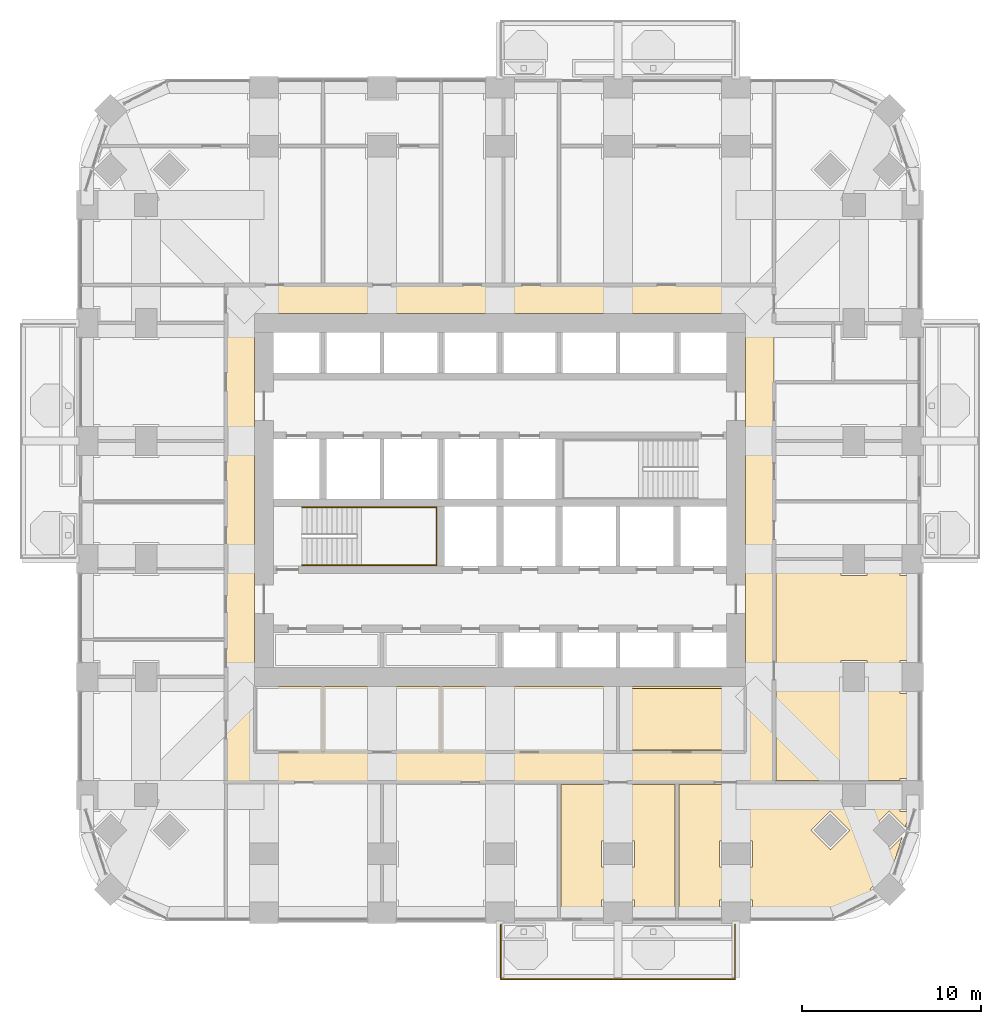
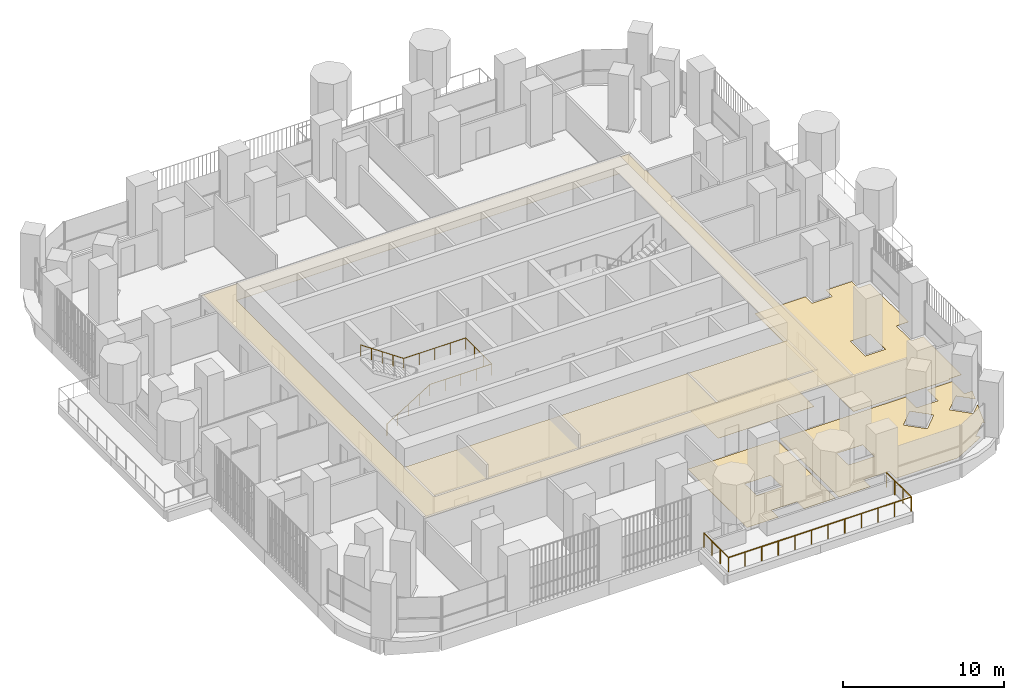
# One storey, part 19 of 22: 5 coverings, 2 railings.
"""IFC4 building model written with IfcOpenShell, lengths in metres."""

from ifc_helpers import new_model, si_unit, direction, frame, origin, place, context, subcontext, project, spatial, polyline, outline, extrude, material, layer, layer_set, type_object, element, save


model = new_model("IFC4")

# Units and contexts
model_context = context("Model", 3, precision=1e-05, world=origin(), true_north=direction((0.0, 1.0)))
body_context = subcontext(model_context, "Body", "Model", "MODEL_VIEW")
ifc_project = project(units=[si_unit("LENGTHUNIT", "METRE"), si_unit("AREAUNIT", "SQUARE_METRE"), si_unit("VOLUMEUNIT", "CUBIC_METRE"), si_unit("PLANEANGLEUNIT", "RADIAN"), si_unit("MASSUNIT", "GRAM", prefix="KILO")], contexts=[model_context])

# Site, building, storey
site_placement = place(None, origin())
site = spatial("IfcSite", under=ifc_project, at=site_placement, CompositionType="ELEMENT")
building_placement = place(site_placement, origin())
building = spatial("IfcBuilding", under=site, at=building_placement, Name="Cobogo Forest Laboratory Tower", CompositionType="ELEMENT")
storey_placement = place(building_placement, frame((0.0, 0.0, 136.800048828125)))
storey = spatial("IfcBuildingStorey", under=building, at=storey_placement, Name="L31", CompositionType="ELEMENT", Elevation=136.800048828125)

# Railing
ifc_material_1 = material(Name="Laminated glass balustrade", Category="glass")
railing_type_1 = type_object("IfcRailingType", Name="BG1 glass balustrade 1100", PredefinedType="GUARDRAIL", material=ifc_material_1)
railing_1_placement = place(storey_placement, frame((26.449951171875, -0.64990234375, 0.0)))
element("IfcRailing", 1, at=railing_1_placement, inside=storey, type_object=railing_type_1, Name="Balcony balustrade BAL-S1 L31", PredefinedType="GUARDRAIL", context=body_context, shape_type="SweptSolid", body=[
    extrude(outline(polyline([(0.022216796875, 0.00927734375), (0.00927734375, 0.022216796875), (-0.00927734375, 0.022216796875), (-0.022216796875, 0.00927734375), (-0.022216796875, -0.00927734375), (-0.00927734375, -0.022216796875), (0.00927734375, -0.022216796875), (0.022216796875, -0.00927734375), (0.022216796875, 0.00927734375)])), frame((0.0, 0.0, 1.077880859375), z_axis=(0.0, -1.0, 0.0), x_axis=(1.0, 0.0, 0.0)), (0.0, 0.0, 1.0), 3.050048828125),
    extrude(outline(polyline([(0.022216796875, 0.00927734375), (0.00927734375, 0.022216796875), (-0.00927734375, 0.022216796875), (-0.022216796875, 0.00927734375), (-0.022216796875, -0.00927734375), (-0.00927734375, -0.022216796875), (0.00927734375, -0.022216796875), (0.022216796875, -0.00927734375), (0.022216796875, 0.00927734375)])), frame((0.0, -3.050048828125, 1.077880859375), z_axis=(1.0, 0.0, 0.0), x_axis=(0.0, 1.0, 0.0)), (0.0, 0.0, 1.0), 13.10009765625),
    extrude(outline(polyline([(0.022216796875, 0.00927734375), (0.00927734375, 0.022216796875), (-0.00927734375, 0.022216796875), (-0.022216796875, 0.00927734375), (-0.022216796875, -0.00927734375), (-0.00927734375, -0.022216796875), (0.00927734375, -0.022216796875), (0.022216796875, -0.00927734375), (0.022216796875, 0.00927734375)])), frame((13.10009765625, -3.050048828125, 1.077880859375), z_axis=(0.0, 1.0, 0.0), x_axis=(-1.0, 0.0, 0.0)), (0.0, 0.0, 1.0), 3.050048828125),
    extrude(outline(polyline([(0.019287109375, 0.008056640625), (0.008056640625, 0.019287109375), (-0.008056640625, 0.019287109375), (-0.019287109375, 0.008056640625), (-0.019287109375, -0.008056640625), (-0.008056640625, -0.019287109375), (0.008056640625, -0.019287109375), (0.019287109375, -0.008056640625), (0.019287109375, 0.008056640625)])), origin(), (0.0, 0.0, 1.0), 1.077880859375),
    extrude(outline(polyline([(0.019287109375, 0.008056640625), (0.008056640625, 0.019287109375), (-0.008056640625, 0.019287109375), (-0.019287109375, 0.008056640625), (-0.019287109375, -0.008056640625), (-0.008056640625, -0.019287109375), (0.008056640625, -0.019287109375), (0.019287109375, -0.008056640625), (0.019287109375, 0.008056640625)])), frame((0.0, -1.0166015625, 0.0)), (0.0, 0.0, 1.0), 1.077880859375),
    extrude(outline(polyline([(0.019287109375, 0.008056640625), (0.008056640625, 0.019287109375), (-0.008056640625, 0.019287109375), (-0.019287109375, 0.008056640625), (-0.019287109375, -0.008056640625), (-0.008056640625, -0.019287109375), (0.008056640625, -0.019287109375), (0.019287109375, -0.008056640625), (0.019287109375, 0.008056640625)])), frame((0.0, -2.033447265625, 0.0)), (0.0, 0.0, 1.0), 1.077880859375),
    extrude(outline(polyline([(0.019287109375, 0.008056640625), (0.008056640625, 0.019287109375), (-0.008056640625, 0.019287109375), (-0.019287109375, 0.008056640625), (-0.019287109375, -0.008056640625), (-0.008056640625, -0.019287109375), (0.008056640625, -0.019287109375), (0.019287109375, -0.008056640625), (0.019287109375, 0.008056640625)])), frame((0.0, -3.050048828125, 0.0)), (0.0, 0.0, 1.0), 1.077880859375),
    extrude(outline(polyline([(0.019287109375, 0.008056640625), (0.008056640625, 0.019287109375), (-0.008056640625, 0.019287109375), (-0.019287109375, 0.008056640625), (-0.019287109375, -0.008056640625), (-0.008056640625, -0.019287109375), (0.008056640625, -0.019287109375), (0.019287109375, -0.008056640625), (0.019287109375, 0.008056640625)])), frame((1.19091796875, -3.050048828125, 0.0)), (0.0, 0.0, 1.0), 1.077880859375),
    extrude(outline(polyline([(0.019287109375, 0.008056640625), (0.008056640625, 0.019287109375), (-0.008056640625, 0.019287109375), (-0.019287109375, 0.008056640625), (-0.019287109375, -0.008056640625), (-0.008056640625, -0.019287109375), (0.008056640625, -0.019287109375), (0.019287109375, -0.008056640625), (0.019287109375, 0.008056640625)])), frame((2.3818359375, -3.050048828125, 0.0)), (0.0, 0.0, 1.0), 1.077880859375),
    extrude(outline(polyline([(0.019287109375, 0.008056640625), (0.008056640625, 0.019287109375), (-0.008056640625, 0.019287109375), (-0.019287109375, 0.008056640625), (-0.019287109375, -0.008056640625), (-0.008056640625, -0.019287109375), (0.008056640625, -0.019287109375), (0.019287109375, -0.008056640625), (0.019287109375, 0.008056640625)])), frame((3.57275390625, -3.050048828125, 0.0)), (0.0, 0.0, 1.0), 1.077880859375),
    extrude(outline(polyline([(0.019287109375, 0.008056640625), (0.008056640625, 0.019287109375), (-0.008056640625, 0.019287109375), (-0.019287109375, 0.008056640625), (-0.019287109375, -0.008056640625), (-0.008056640625, -0.019287109375), (0.008056640625, -0.019287109375), (0.019287109375, -0.008056640625), (0.019287109375, 0.008056640625)])), frame((4.763671875, -3.050048828125, 0.0)), (0.0, 0.0, 1.0), 1.077880859375),
    extrude(outline(polyline([(0.019287109375, 0.008056640625), (0.008056640625, 0.019287109375), (-0.008056640625, 0.019287109375), (-0.019287109375, 0.008056640625), (-0.019287109375, -0.008056640625), (-0.008056640625, -0.019287109375), (0.008056640625, -0.019287109375), (0.019287109375, -0.008056640625), (0.019287109375, 0.008056640625)])), frame((5.95458984375, -3.050048828125, 0.0)), (0.0, 0.0, 1.0), 1.077880859375),
    extrude(outline(polyline([(0.019287109375, 0.008056640625), (0.008056640625, 0.019287109375), (-0.008056640625, 0.019287109375), (-0.019287109375, 0.008056640625), (-0.019287109375, -0.008056640625), (-0.008056640625, -0.019287109375), (0.008056640625, -0.019287109375), (0.019287109375, -0.008056640625), (0.019287109375, 0.008056640625)])), frame((7.1455078125, -3.050048828125, 0.0)), (0.0, 0.0, 1.0), 1.077880859375),
    extrude(outline(polyline([(0.019287109375, 0.008056640625), (0.008056640625, 0.019287109375), (-0.008056640625, 0.019287109375), (-0.019287109375, 0.008056640625), (-0.019287109375, -0.008056640625), (-0.008056640625, -0.019287109375), (0.008056640625, -0.019287109375), (0.019287109375, -0.008056640625), (0.019287109375, 0.008056640625)])), frame((8.33642578125, -3.050048828125, 0.0)), (0.0, 0.0, 1.0), 1.077880859375),
    extrude(outline(polyline([(0.019287109375, 0.008056640625), (0.008056640625, 0.019287109375), (-0.008056640625, 0.019287109375), (-0.019287109375, 0.008056640625), (-0.019287109375, -0.008056640625), (-0.008056640625, -0.019287109375), (0.008056640625, -0.019287109375), (0.019287109375, -0.008056640625), (0.019287109375, 0.008056640625)])), frame((9.52734375, -3.050048828125, 0.0)), (0.0, 0.0, 1.0), 1.077880859375),
    extrude(outline(polyline([(0.019287109375, 0.008056640625), (0.008056640625, 0.019287109375), (-0.008056640625, 0.019287109375), (-0.019287109375, 0.008056640625), (-0.019287109375, -0.008056640625), (-0.008056640625, -0.019287109375), (0.008056640625, -0.019287109375), (0.019287109375, -0.008056640625), (0.019287109375, 0.008056640625)])), frame((10.71826171875, -3.050048828125, 0.0)), (0.0, 0.0, 1.0), 1.077880859375),
    extrude(outline(polyline([(0.019287109375, 0.008056640625), (0.008056640625, 0.019287109375), (-0.008056640625, 0.019287109375), (-0.019287109375, 0.008056640625), (-0.019287109375, -0.008056640625), (-0.008056640625, -0.019287109375), (0.008056640625, -0.019287109375), (0.019287109375, -0.008056640625), (0.019287109375, 0.008056640625)])), frame((11.9091796875, -3.050048828125, 0.0)), (0.0, 0.0, 1.0), 1.077880859375),
    extrude(outline(polyline([(0.019287109375, 0.008056640625), (0.008056640625, 0.019287109375), (-0.008056640625, 0.019287109375), (-0.019287109375, 0.008056640625), (-0.019287109375, -0.008056640625), (-0.008056640625, -0.019287109375), (0.008056640625, -0.019287109375), (0.019287109375, -0.008056640625), (0.019287109375, 0.008056640625)])), frame((13.10009765625, -3.050048828125, 0.0)), (0.0, 0.0, 1.0), 1.077880859375),
    extrude(outline(polyline([(0.019287109375, 0.008056640625), (0.008056640625, 0.019287109375), (-0.008056640625, 0.019287109375), (-0.019287109375, 0.008056640625), (-0.019287109375, -0.008056640625), (-0.008056640625, -0.019287109375), (0.008056640625, -0.019287109375), (0.019287109375, -0.008056640625), (0.019287109375, 0.008056640625)])), frame((13.10009765625, -2.033447265625, 0.0)), (0.0, 0.0, 1.0), 1.077880859375),
    extrude(outline(polyline([(0.019287109375, 0.008056640625), (0.008056640625, 0.019287109375), (-0.008056640625, 0.019287109375), (-0.019287109375, 0.008056640625), (-0.019287109375, -0.008056640625), (-0.008056640625, -0.019287109375), (0.008056640625, -0.019287109375), (0.019287109375, -0.008056640625), (0.019287109375, 0.008056640625)])), frame((13.10009765625, -1.0166015625, 0.0)), (0.0, 0.0, 1.0), 1.077880859375),
    extrude(outline(polyline([(0.019287109375, 0.008056640625), (0.008056640625, 0.019287109375), (-0.008056640625, 0.019287109375), (-0.019287109375, 0.008056640625), (-0.019287109375, -0.008056640625), (-0.008056640625, -0.019287109375), (0.008056640625, -0.019287109375), (0.019287109375, -0.008056640625), (0.019287109375, 0.008056640625)])), frame((13.10009765625, 0.0, 0.0)), (0.0, 0.0, 1.0), 1.077880859375),
])

# Coverings
ifc_material_2 = material(Name="Mineral fibre ceiling tile", Category="ceiling")
ifc_layer_1 = layer(ifc_material_2, 0.02001953125)
ifc_layer_set_1 = layer_set([ifc_layer_1], Name="CL1 suspended ceiling")
covering_type_1 = type_object("IfcCoveringType", Name="CL1 suspended ceiling", PredefinedType="CEILING", material=ifc_layer_set_1)
covering_1_placement = place(storey_placement, frame((0.0, 0.0, 2.800048828125)))
element("IfcCovering", 2, at=covering_1_placement, inside=storey, type_object=covering_type_1, Name="Corridor ceiling L31", PredefinedType="CEILING", context=body_context, shape_type="SweptSolid", body=[
    extrude(outline(polyline([(11.074951171875, 7.300048828125), (11.074951171875, 35.125), (41.72509765625, 35.125), (41.72509765625, 7.300048828125), (11.074951171875, 7.300048828125)]), holes=[polyline([(40.125, 33.52490234375), (12.675048828125, 33.52490234375), (12.675048828125, 12.675048828125), (40.125, 12.675048828125), (40.125, 33.52490234375)])]), origin(), (0.0, 0.0, 1.0), 0.02001953125),
])
ifc_material_3 = material(Name="Carpet tile on raised access floor", Category="flooring")
ifc_layer_2 = layer(ifc_material_3, 0.008056640625)
ifc_layer_set_2 = layer_set([ifc_layer_2], Name="CT1 carpet tile floor 8")
covering_type_2 = type_object("IfcCoveringType", Name="CT1 carpet tile floor 8", PredefinedType="FLOORING", material=ifc_layer_set_2)
covering_2_placement = place(storey_placement, origin())
element("IfcCovering", 3, at=covering_2_placement, inside=storey, type_object=covering_type_2, Name="Carpet floor L31-09", PredefinedType="FLOORING", context=body_context, shape_type="SweptSolid", body=[
    extrude(outline(polyline([(41.844970703125, 19.679931640625), (45.47998046875, 19.679931640625), (45.47998046875, 18.8798828125), (46.919921875, 18.8798828125), (46.919921875, 19.679931640625), (48.780029296875, 19.679931640625), (48.780029296875, 18.8798828125), (49.64990234375, 18.8798828125), (49.64990234375, 14.1201171875), (48.780029296875, 14.1201171875), (48.780029296875, 12.280029296875), (49.64990234375, 12.280029296875), (49.64990234375, 7.52001953125), (48.780029296875, 7.52001953125), (48.780029296875, 7.419921875), (41.844970703125, 7.419921875), (41.844970703125, 19.679931640625)]), holes=[polyline([(45.47998046875, 12.280029296875), (46.919921875, 12.280029296875), (46.919921875, 14.1201171875), (45.47998046875, 14.1201171875), (45.47998046875, 12.280029296875)])]), origin(), (0.0, 0.0, 1.0), 0.008056640625),
])

# Railing
ifc_material_4 = material(Name="Stainless steel handrail", Category="steel")
railing_type_2 = type_object("IfcRailingType", Name="HR handrail 900", PredefinedType="HANDRAIL", material=ifc_material_4)
railing_2_placement = place(storey_placement, frame((15.324951171875, 19.449951171875, 0.175048828125)))
element("IfcRailing", 4, at=railing_2_placement, inside=storey, type_object=railing_type_2, Name="Stair handrail ST1 L31", PredefinedType="HANDRAIL", context=body_context, shape_type="SweptSolid", body=[
    extrude(outline(polyline([(0.022216796875, 0.00927734375), (0.00927734375, 0.022216796875), (-0.00927734375, 0.022216796875), (-0.022216796875, 0.00927734375), (-0.022216796875, -0.00927734375), (-0.00927734375, -0.022216796875), (0.00927734375, -0.022216796875), (0.022216796875, -0.00927734375), (0.022216796875, 0.00927734375)])), frame((0.0, 0.0, 0.877685546875), z_axis=(0.848028513186, 0.0, 0.529950602248), x_axis=(0.0, 1.0, 0.0)), (0.0, 0.0, 1.0), 3.632080078125),
    extrude(outline(polyline([(0.022216796875, 0.00927734375), (0.00927734375, 0.022216796875), (-0.00927734375, 0.022216796875), (-0.022216796875, 0.00927734375), (-0.022216796875, -0.00927734375), (-0.00927734375, -0.022216796875), (0.00927734375, -0.022216796875), (0.022216796875, -0.00927734375), (0.022216796875, 0.00927734375)])), frame((3.080078125, 0.0, 2.802490234375), z_axis=(1.0, 0.0, 0.0), x_axis=(0.0, 1.0, 0.0)), (0.0, 0.0, 1.0), 4.445068359375),
    extrude(outline(polyline([(0.022216796875, 0.00927734375), (0.00927734375, 0.022216796875), (-0.00927734375, 0.022216796875), (-0.022216796875, 0.00927734375), (-0.022216796875, -0.00927734375), (-0.00927734375, -0.022216796875), (0.00927734375, -0.022216796875), (0.022216796875, -0.00927734375), (0.022216796875, 0.00927734375)])), frame((7.525146484375, 0.0, 2.802490234375), z_axis=(0.0, 1.0, 0.0), x_axis=(-1.0, 0.0, 0.0)), (0.0, 0.0, 1.0), 3.25),
    extrude(outline(polyline([(0.022216796875, 0.00927734375), (0.00927734375, 0.022216796875), (-0.00927734375, 0.022216796875), (-0.022216796875, 0.00927734375), (-0.022216796875, -0.00927734375), (-0.00927734375, -0.022216796875), (0.00927734375, -0.022216796875), (0.022216796875, -0.00927734375), (0.022216796875, 0.00927734375)])), frame((7.525146484375, 3.25, 2.802490234375), z_axis=(-1.0, 0.0, 0.0), x_axis=(0.0, -1.0, 0.0)), (0.0, 0.0, 1.0), 4.445068359375),
    extrude(outline(polyline([(0.022216796875, 0.00927734375), (0.00927734375, 0.022216796875), (-0.00927734375, 0.022216796875), (-0.022216796875, 0.00927734375), (-0.022216796875, -0.00927734375), (-0.00927734375, -0.022216796875), (0.00927734375, -0.022216796875), (0.022216796875, -0.00927734375), (0.022216796875, 0.00927734375)])), frame((3.080078125, 3.25, 2.802490234375), z_axis=(-0.826221800596, 0.0, 0.563344953133), x_axis=(0.0, -1.0, 0.0)), (0.0, 0.0, 1.0), 3.72802734375),
    extrude(outline(polyline([(0.019287109375, 0.008056640625), (0.008056640625, 0.019287109375), (-0.008056640625, 0.019287109375), (-0.019287109375, 0.008056640625), (-0.019287109375, -0.008056640625), (-0.008056640625, -0.019287109375), (0.008056640625, -0.019287109375), (0.019287109375, -0.008056640625), (0.019287109375, 0.008056640625)])), origin(), (0.0, 0.0, 1.0), 0.877685546875),
    extrude(outline(polyline([(0.019287109375, 0.008056640625), (0.008056640625, 0.019287109375), (-0.008056640625, 0.019287109375), (-0.019287109375, 0.008056640625), (-0.019287109375, -0.008056640625), (-0.008056640625, -0.019287109375), (0.008056640625, -0.019287109375), (0.019287109375, -0.008056640625), (0.019287109375, 0.008056640625)])), frame((0.77001953125, 0.0, 0.481201171875)), (0.0, 0.0, 1.0), 0.877685546875),
    extrude(outline(polyline([(0.019287109375, 0.008056640625), (0.008056640625, 0.019287109375), (-0.008056640625, 0.019287109375), (-0.019287109375, 0.008056640625), (-0.019287109375, -0.008056640625), (-0.008056640625, -0.019287109375), (0.008056640625, -0.019287109375), (0.019287109375, -0.008056640625), (0.019287109375, 0.008056640625)])), frame((1.5400390625, 0.0, 0.96240234375)), (0.0, 0.0, 1.0), 0.877685546875),
    extrude(outline(polyline([(0.019287109375, 0.008056640625), (0.008056640625, 0.019287109375), (-0.008056640625, 0.019287109375), (-0.019287109375, 0.008056640625), (-0.019287109375, -0.008056640625), (-0.008056640625, -0.019287109375), (0.008056640625, -0.019287109375), (0.019287109375, -0.008056640625), (0.019287109375, 0.008056640625)])), frame((2.31005859375, 0.0, 1.443603515625)), (0.0, 0.0, 1.0), 0.877685546875),
    extrude(outline(polyline([(0.019287109375, 0.008056640625), (0.008056640625, 0.019287109375), (-0.008056640625, 0.019287109375), (-0.019287109375, 0.008056640625), (-0.019287109375, -0.008056640625), (-0.008056640625, -0.019287109375), (0.008056640625, -0.019287109375), (0.019287109375, -0.008056640625), (0.019287109375, 0.008056640625)])), frame((3.080078125, 0.0, 1.9248046875)), (0.0, 0.0, 1.0), 0.877685546875),
    extrude(outline(polyline([(0.019287109375, 0.008056640625), (0.008056640625, 0.019287109375), (-0.008056640625, 0.019287109375), (-0.019287109375, 0.008056640625), (-0.019287109375, -0.008056640625), (-0.008056640625, -0.019287109375), (0.008056640625, -0.019287109375), (0.019287109375, -0.008056640625), (0.019287109375, 0.008056640625)])), frame((4.19140625, 0.0, 1.9248046875)), (0.0, 0.0, 1.0), 0.877685546875),
    extrude(outline(polyline([(0.019287109375, 0.008056640625), (0.008056640625, 0.019287109375), (-0.008056640625, 0.019287109375), (-0.019287109375, 0.008056640625), (-0.019287109375, -0.008056640625), (-0.008056640625, -0.019287109375), (0.008056640625, -0.019287109375), (0.019287109375, -0.008056640625), (0.019287109375, 0.008056640625)])), frame((5.302734375, 0.0, 1.9248046875)), (0.0, 0.0, 1.0), 0.877685546875),
    extrude(outline(polyline([(0.019287109375, 0.008056640625), (0.008056640625, 0.019287109375), (-0.008056640625, 0.019287109375), (-0.019287109375, 0.008056640625), (-0.019287109375, -0.008056640625), (-0.008056640625, -0.019287109375), (0.008056640625, -0.019287109375), (0.019287109375, -0.008056640625), (0.019287109375, 0.008056640625)])), frame((6.413818359375, 0.0, 1.9248046875)), (0.0, 0.0, 1.0), 0.877685546875),
    extrude(outline(polyline([(0.019287109375, 0.008056640625), (0.008056640625, 0.019287109375), (-0.008056640625, 0.019287109375), (-0.019287109375, 0.008056640625), (-0.019287109375, -0.008056640625), (-0.008056640625, -0.019287109375), (0.008056640625, -0.019287109375), (0.019287109375, -0.008056640625), (0.019287109375, 0.008056640625)])), frame((7.525146484375, 0.0, 1.9248046875)), (0.0, 0.0, 1.0), 0.877685546875),
    extrude(outline(polyline([(0.019287109375, 0.008056640625), (0.008056640625, 0.019287109375), (-0.008056640625, 0.019287109375), (-0.019287109375, 0.008056640625), (-0.019287109375, -0.008056640625), (-0.008056640625, -0.019287109375), (0.008056640625, -0.019287109375), (0.019287109375, -0.008056640625), (0.019287109375, 0.008056640625)])), frame((7.525146484375, 1.083251953125, 1.9248046875)), (0.0, 0.0, 1.0), 0.877685546875),
    extrude(outline(polyline([(0.019287109375, 0.008056640625), (0.008056640625, 0.019287109375), (-0.008056640625, 0.019287109375), (-0.019287109375, 0.008056640625), (-0.019287109375, -0.008056640625), (-0.008056640625, -0.019287109375), (0.008056640625, -0.019287109375), (0.019287109375, -0.008056640625), (0.019287109375, 0.008056640625)])), frame((7.525146484375, 2.166748046875, 1.9248046875)), (0.0, 0.0, 1.0), 0.877685546875),
    extrude(outline(polyline([(0.019287109375, 0.008056640625), (0.008056640625, 0.019287109375), (-0.008056640625, 0.019287109375), (-0.019287109375, 0.008056640625), (-0.019287109375, -0.008056640625), (-0.008056640625, -0.019287109375), (0.008056640625, -0.019287109375), (0.019287109375, -0.008056640625), (0.019287109375, 0.008056640625)])), frame((7.525146484375, 3.25, 1.9248046875)), (0.0, 0.0, 1.0), 0.877685546875),
    extrude(outline(polyline([(0.019287109375, 0.008056640625), (0.008056640625, 0.019287109375), (-0.008056640625, 0.019287109375), (-0.019287109375, 0.008056640625), (-0.019287109375, -0.008056640625), (-0.008056640625, -0.019287109375), (0.008056640625, -0.019287109375), (0.019287109375, -0.008056640625), (0.019287109375, 0.008056640625)])), frame((6.413818359375, 3.25, 1.9248046875)), (0.0, 0.0, 1.0), 0.877685546875),
    extrude(outline(polyline([(0.019287109375, 0.008056640625), (0.008056640625, 0.019287109375), (-0.008056640625, 0.019287109375), (-0.019287109375, 0.008056640625), (-0.019287109375, -0.008056640625), (-0.008056640625, -0.019287109375), (0.008056640625, -0.019287109375), (0.019287109375, -0.008056640625), (0.019287109375, 0.008056640625)])), frame((5.302734375, 3.25, 1.9248046875)), (0.0, 0.0, 1.0), 0.877685546875),
    extrude(outline(polyline([(0.019287109375, 0.008056640625), (0.008056640625, 0.019287109375), (-0.008056640625, 0.019287109375), (-0.019287109375, 0.008056640625), (-0.019287109375, -0.008056640625), (-0.008056640625, -0.019287109375), (0.008056640625, -0.019287109375), (0.019287109375, -0.008056640625), (0.019287109375, 0.008056640625)])), frame((4.19140625, 3.25, 1.9248046875)), (0.0, 0.0, 1.0), 0.877685546875),
    extrude(outline(polyline([(0.019287109375, 0.008056640625), (0.008056640625, 0.019287109375), (-0.008056640625, 0.019287109375), (-0.019287109375, 0.008056640625), (-0.019287109375, -0.008056640625), (-0.008056640625, -0.019287109375), (0.008056640625, -0.019287109375), (0.019287109375, -0.008056640625), (0.019287109375, 0.008056640625)])), frame((3.080078125, 3.25, 1.9248046875)), (0.0, 0.0, 1.0), 0.877685546875),
    extrude(outline(polyline([(0.019287109375, 0.008056640625), (0.008056640625, 0.019287109375), (-0.008056640625, 0.019287109375), (-0.019287109375, 0.008056640625), (-0.019287109375, -0.008056640625), (-0.008056640625, -0.019287109375), (0.008056640625, -0.019287109375), (0.019287109375, -0.008056640625), (0.019287109375, 0.008056640625)])), frame((2.31005859375, 3.25, 2.44970703125)), (0.0, 0.0, 1.0), 0.877685546875),
    extrude(outline(polyline([(0.019287109375, 0.008056640625), (0.008056640625, 0.019287109375), (-0.008056640625, 0.019287109375), (-0.019287109375, 0.008056640625), (-0.019287109375, -0.008056640625), (-0.008056640625, -0.019287109375), (0.008056640625, -0.019287109375), (0.019287109375, -0.008056640625), (0.019287109375, 0.008056640625)])), frame((1.5400390625, 3.25, 2.974853515625)), (0.0, 0.0, 1.0), 0.877685546875),
    extrude(outline(polyline([(0.019287109375, 0.008056640625), (0.008056640625, 0.019287109375), (-0.008056640625, 0.019287109375), (-0.019287109375, 0.008056640625), (-0.019287109375, -0.008056640625), (-0.008056640625, -0.019287109375), (0.008056640625, -0.019287109375), (0.019287109375, -0.008056640625), (0.019287109375, 0.008056640625)])), frame((0.77001953125, 3.25, 3.5)), (0.0, 0.0, 1.0), 0.877685546875),
    extrude(outline(polyline([(0.019287109375, 0.008056640625), (0.008056640625, 0.019287109375), (-0.008056640625, 0.019287109375), (-0.019287109375, 0.008056640625), (-0.019287109375, -0.008056640625), (-0.008056640625, -0.019287109375), (0.008056640625, -0.019287109375), (0.019287109375, -0.008056640625), (0.019287109375, 0.008056640625)])), frame((0.0, 3.25, 4.02490234375)), (0.0, 0.0, 1.0), 0.877685546875),
])

# Coverings
ifc_material_5 = material(Name="Epoxy resin flooring", Category="flooring")
ifc_layer_3 = layer(ifc_material_5, 0.00390625)
ifc_layer_set_3 = layer_set([ifc_layer_3], Name="LF1 epoxy laboratory floor 4")
covering_type_3 = type_object("IfcCoveringType", Name="LF1 epoxy laboratory floor 4", PredefinedType="FLOORING", material=ifc_layer_set_3)
covering_3_placement = place(storey_placement, origin())
element("IfcCovering", 5, at=covering_3_placement, inside=storey, type_object=covering_type_3, Name="Epoxy laboratory floor L31-04", PredefinedType="FLOORING", context=body_context, shape_type="SweptSolid", body=[
    extrude(outline(polyline([(40.0048828125, 9.1201171875), (33.1201171875, 9.1201171875), (33.1201171875, 12.554931640625), (40.0048828125, 12.554931640625), (40.0048828125, 9.1201171875)])), origin(), (0.0, 0.0, 1.0), 0.00390625),
])
covering_4_placement = place(storey_placement, origin())
element("IfcCovering", 6, at=covering_4_placement, inside=storey, type_object=covering_type_3, Name="Epoxy laboratory floor L31-08", PredefinedType="FLOORING", context=body_context, shape_type="SweptSolid", body=[
    extrude(outline(polyline([(45.429931640625, 5.830078125), (46.969970703125, 5.830078125), (46.969970703125, 7.179931640625), (48.780029296875, 7.179931640625), (48.780029296875, 5.679931640625), (49.349853515625, 5.679931640625), (49.075927734375, 4.81298828125), (48.181884765625, 5.70703125), (47.093017578125, 4.617919921875), (48.181884765625, 3.529052734375), (48.89599609375, 4.2431640625), (48.283935546875, 2.304931640625), (48.181884765625, 2.406982421875), (47.093017578125, 1.318115234375), (47.3193359375, 1.091552734375), (44.95068359375, -0.14990234375), (40.52001953125, -0.14990234375), (40.52001953125, 0.719970703125), (38.679931640625, 0.719970703125), (38.679931640625, -0.14990234375), (36.419921875, -0.14990234375), (36.419921875, 7.179931640625), (45.429931640625, 7.179931640625), (45.429931640625, 5.830078125)]), holes=[polyline([(43.79296875, 4.617919921875), (44.882080078125, 3.529052734375), (45.970947265625, 4.617919921875), (44.882080078125, 5.70703125), (43.79296875, 4.617919921875)]), polyline([(38.679931640625, 4.02001953125), (38.679931640625, 2.580078125), (40.52001953125, 2.580078125), (40.52001953125, 4.02001953125), (38.679931640625, 4.02001953125)])]), origin(), (0.0, 0.0, 1.0), 0.00390625),
])
ifc_material_6 = material(Name="Ceramic floor tile", Category="flooring")
ifc_layer_4 = layer(ifc_material_6, 0.010009765625)
ifc_layer_set_4 = layer_set([ifc_layer_4], Name="TF1 ceramic tile floor 10")
covering_type_4 = type_object("IfcCoveringType", Name="TF1 ceramic tile floor 10", PredefinedType="FLOORING", material=ifc_layer_set_4)
covering_5_placement = place(storey_placement, origin())
element("IfcCovering", 7, at=covering_5_placement, inside=storey, type_object=covering_type_4, Name="Tile floor L31-07", PredefinedType="FLOORING", context=body_context, shape_type="SweptSolid", body=[
    extrude(outline(polyline([(36.179931640625, 7.179931640625), (36.179931640625, -0.14990234375), (33.919921875, -0.14990234375), (33.919921875, 0.719970703125), (32.080078125, 0.719970703125), (32.080078125, -0.14990234375), (29.820068359375, -0.14990234375), (29.820068359375, 7.179931640625), (36.179931640625, 7.179931640625)]), holes=[polyline([(32.080078125, 4.02001953125), (32.080078125, 2.580078125), (33.919921875, 2.580078125), (33.919921875, 4.02001953125), (32.080078125, 4.02001953125)])]), origin(), (0.0, 0.0, 1.0), 0.010009765625),
])

save(model, "model.ifc")
